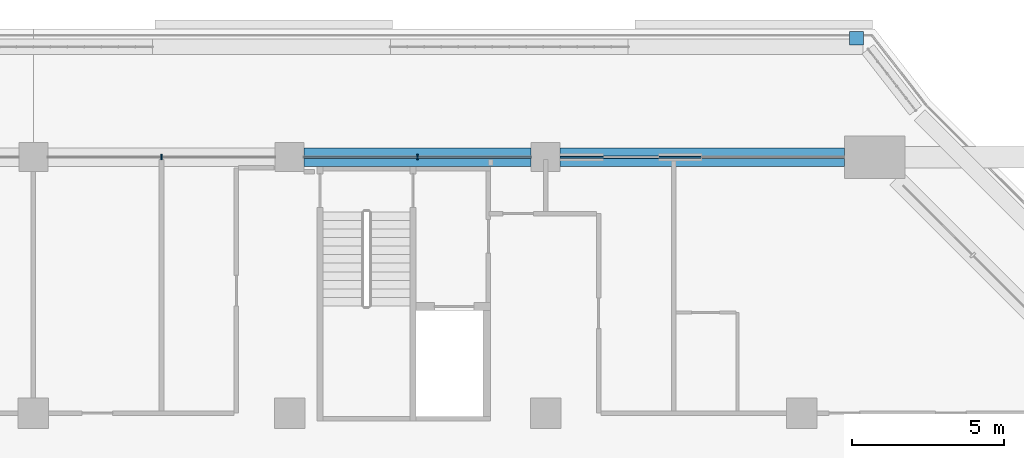
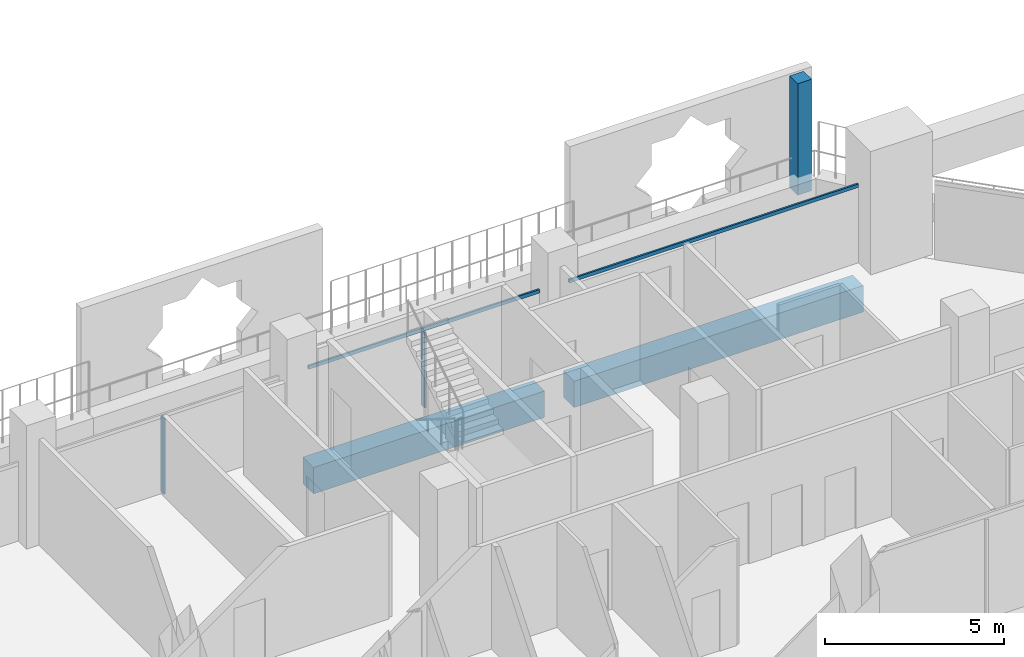
# One storey, part 7 of 23: 5 members, 2 beams, 2 elements without a shape of their own.
"""IFC4 building model written with IfcOpenShell, lengths in metres."""

from ifc_helpers import new_model, si_unit, direction, frame, origin, origin_2d, place, context, subcontext, project, spatial, rectangle, extrude, material, layer, layer_set, material_profile, profile_set, type_object, element, aggregate, save


model = new_model("IFC4")

# Units and contexts
model_context = context("Model", 3, precision=1e-05, world=origin(), true_north=direction((0.0, 1.0)))
body_context = subcontext(model_context, "Body", "Model", "MODEL_VIEW")
ifc_project = project(units=[si_unit("LENGTHUNIT", "METRE"), si_unit("AREAUNIT", "SQUARE_METRE"), si_unit("VOLUMEUNIT", "CUBIC_METRE"), si_unit("PLANEANGLEUNIT", "RADIAN"), si_unit("MASSUNIT", "GRAM", prefix="KILO")], contexts=[model_context])

# Site, building, storey
site_placement = place(None, origin())
site = spatial("IfcSite", under=ifc_project, at=site_placement, CompositionType="ELEMENT")
building_placement = place(site_placement, origin())
building = spatial("IfcBuilding", under=site, at=building_placement, Name="Kawkab Arch Medical Tower", CompositionType="ELEMENT")
storey_placement = place(building_placement, frame((0.0, 0.0, 166.800048828125)))
storey = spatial("IfcBuildingStorey", under=building, at=storey_placement, Name="L38", CompositionType="ELEMENT", Elevation=166.800048828125)

# Curtain wall, members
ifc_material_1 = material(Name="Bronze anodised aluminium curtain wall frame", Category="aluminium")
ifc_layer_1 = layer(ifc_material_1, 0.159912109375)
ifc_layer_set_1 = layer_set([ifc_layer_1], Name="Bronze anodised aluminium curtain wall frame")
curtain_wall_type_1 = type_object("IfcCurtainWallType", Name="CW1 ward curtain wall", PredefinedType="NOTDEFINED", material=ifc_layer_set_1)
placement = place(storey_placement, origin())
curtain_wall_1 = element("IfcCurtainWall", 1, at=placement, inside=storey, type_object=curtain_wall_type_1, Name="CW1 Ward curtain wall R09", PredefinedType="NOTDEFINED")
ifc_material_2 = material(Name="Bronze anodised aluminium curtain wall frame", Category="aluminium")
ifc_material_profile_1 = material_profile(ifc_material_2, rectangle(XDim=0.179931640625, YDim=0.06005859375, at=origin_2d()), Name="AL 60x180")
ifc_profile_set_1 = profile_set([ifc_material_profile_1], Name="Bronze anodised aluminium curtain wall frame")
member_type_1 = type_object("IfcMemberType", Name="CW1 mullion 60 x 180", PredefinedType="MULLION", material=ifc_profile_set_1)
member_1_placement = place(storey_placement, frame((46.199951171875, 0.0, 0.0), z_axis=(0.0, 0.0, 1.0), x_axis=(0.0, -1.0, 0.0)))
member_1 = element("IfcMember", 2, at=member_1_placement, type_object=member_type_1, Name="CW1 mullion 2.1", PredefinedType="MULLION", context=body_context, shape_type="SweptSolid", body=[
    extrude(rectangle(XDim=0.179931640625, YDim=0.06005859375, at=origin_2d()), origin(), (0.0, 0.0, 1.0), 2.579833984375),
])
member_2_placement = place(storey_placement, frame((37.800048828125, 0.0, 0.0), z_axis=(0.0, 0.0, 1.0), x_axis=(0.0, -1.0, 0.0)))
member_2 = element("IfcMember", 3, at=member_2_placement, type_object=member_type_1, Name="CW1 mullion 3.1", PredefinedType="MULLION", context=body_context, shape_type="SweptSolid", body=[
    extrude(rectangle(XDim=0.179931640625, YDim=0.06005859375, at=origin_2d()), origin(), (0.0, 0.0, 1.0), 2.579833984375),
])
ifc_material_3 = material(Name="Bronze anodised aluminium curtain wall frame", Category="aluminium")
ifc_material_profile_2 = material_profile(ifc_material_3, rectangle(XDim=0.06005859375, YDim=0.1201171875, at=origin_2d()), Name="AL 60x120")
ifc_profile_set_2 = profile_set([ifc_material_profile_2], Name="Bronze anodised aluminium curtain wall frame")
member_type_2 = type_object("IfcMemberType", Name="CW1 transom 120 x 60", PredefinedType="USERDEFINED", material=ifc_profile_set_2)
member_3_placement = place(storey_placement, frame((60.199951171875, 0.0, 2.639892578125), z_axis=(-1.0, 0.0, 0.0), x_axis=(0.0, -1.0, 0.0)))
member_3 = element("IfcMember", 4, at=member_3_placement, type_object=member_type_2, Name="CW1 transom 1", ObjectType="TRANSOM", PredefinedType="USERDEFINED", context=body_context, shape_type="SweptSolid", body=[
    extrude(rectangle(XDim=0.06005859375, YDim=0.1201171875, at=origin_2d()), origin(), (0.0, 0.0, 1.0), 9.324951171875),
])
member_4_placement = place(storey_placement, frame((49.925048828125, 0.0, 2.639892578125), z_axis=(-1.0, 0.0, 0.0), x_axis=(0.0, -1.0, 0.0)))
member_4 = element("IfcMember", 5, at=member_4_placement, type_object=member_type_2, Name="CW1 transom 2", ObjectType="TRANSOM", PredefinedType="USERDEFINED", context=body_context, shape_type="SweptSolid", body=[
    extrude(rectangle(XDim=0.06005859375, YDim=0.1201171875, at=origin_2d()), origin(), (0.0, 0.0, 1.0), 7.449951171875),
])
aggregate(curtain_wall_1, [member_3, member_4, member_1, member_2])

# Curtain wall, member
ifc_material_4 = material(Name="Bronze anodised aluminium climber frame, planted", Category="aluminium")
ifc_layer_2 = layer(ifc_material_4, 0.449951171875)
ifc_layer_set_2 = layer_set([ifc_layer_2], Name="Bronze anodised aluminium climber frame, planted")
curtain_wall_type_2 = type_object("IfcCurtainWallType", Name="Planted climber frame", PredefinedType="NOTDEFINED", material=ifc_layer_set_2)
curtain_wall_2 = element("IfcCurtainWall", 6, at=placement, inside=storey, type_object=curtain_wall_type_2, Name="Planted climber frame L38", PredefinedType="NOTDEFINED")
ifc_material_5 = material(Name="Bronze anodised aluminium climber frame, planted", Category="aluminium")
ifc_material_profile_3 = material_profile(ifc_material_5, rectangle(XDim=0.449951171875, YDim=0.449951171875, at=origin_2d()), Name="Post 450x450")
ifc_profile_set_3 = profile_set([ifc_material_profile_3], Name="Bronze anodised aluminium climber frame, planted")
member_type_3 = type_object("IfcMemberType", Name="Planted climber post 450 x 450", PredefinedType="MULLION", material=ifc_profile_set_3)
member_5_placement = place(storey_placement, frame((60.60302734375, 3.89990234375, 0.0), z_axis=(0.0, 0.0, 1.0), x_axis=(1.0, 0.0, 0.0)))
member_5 = element("IfcMember", 7, at=member_5_placement, type_object=member_type_3, Name="Planted climber post L38.LOG-01-02.2", PredefinedType="MULLION", context=body_context, shape_type="SweptSolid", body=[
    extrude(rectangle(XDim=0.449951171875, YDim=0.449951171875, at=origin_2d()), origin(), (0.0, 0.0, 1.0), 3.800048828125),
])
aggregate(curtain_wall_2, [member_5])

# Beams
ifc_material_6 = material(Name="Concrete C50/60", Category="concrete")
ifc_material_profile_4 = material_profile(ifc_material_6, rectangle(XDim=0.60009765625, YDim=0.89990234375, at=origin_2d()), Name="RC 600x900")
ifc_profile_set_4 = profile_set([ifc_material_profile_4], Name="Concrete C50/60")
beam_type = type_object("IfcBeamType", Name="RC 600x900 beam C50/60", PredefinedType="BEAM", material=ifc_profile_set_4)
beam_1_placement = place(storey_placement, frame((42.47509765625, 0.0, -1.050048828125), z_axis=(1.0, 0.0, 0.0), x_axis=(0.0, 1.0, 0.0)))
element("IfcBeam", 8, at=beam_1_placement, inside=storey, type_object=beam_type, Name="Overhang edge beam L38-06", PredefinedType="BEAM", context=body_context, shape_type="SweptSolid", body=[
    extrude(rectangle(XDim=0.60009765625, YDim=0.89990234375, at=origin_2d()), origin(), (0.0, 0.0, 1.0), 7.449951171875),
])
beam_2_placement = place(storey_placement, frame((50.875, 0.0, -1.050048828125), z_axis=(1.0, 0.0, 0.0), x_axis=(0.0, 1.0, 0.0)))
element("IfcBeam", 9, at=beam_2_placement, inside=storey, type_object=beam_type, Name="Overhang edge beam L38-07", PredefinedType="BEAM", context=body_context, shape_type="SweptSolid", body=[
    extrude(rectangle(XDim=0.60009765625, YDim=0.89990234375, at=origin_2d()), origin(), (0.0, 0.0, 1.0), 9.324951171875),
])

save(model, "model.ifc")
